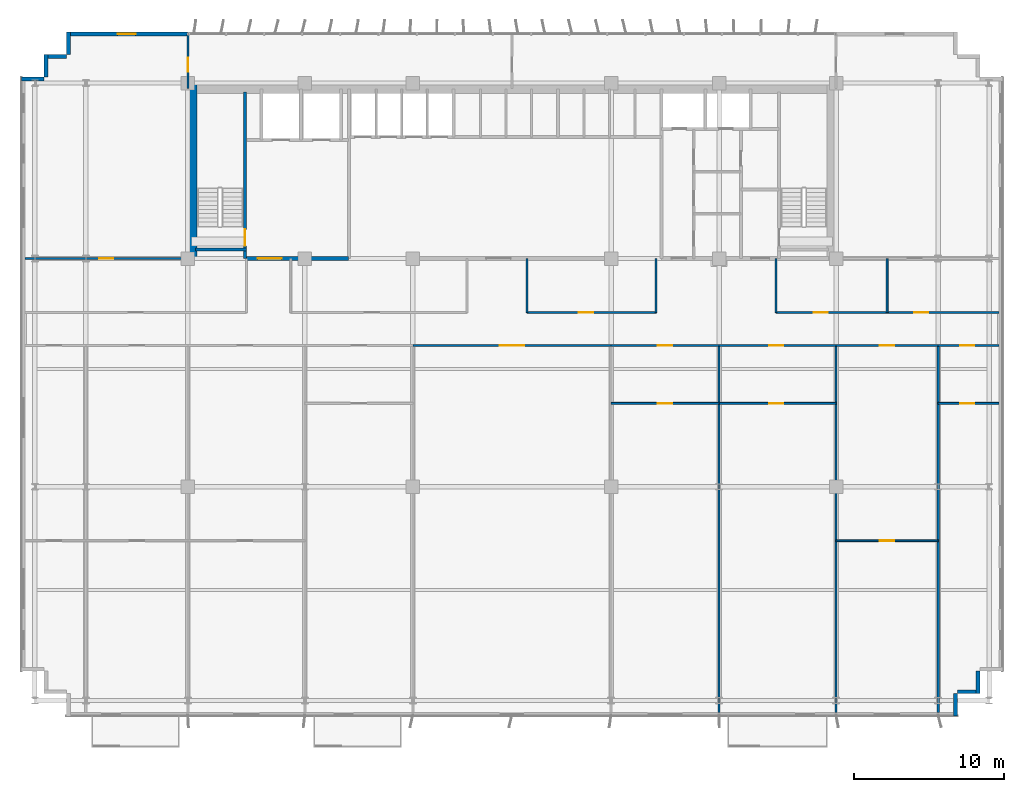
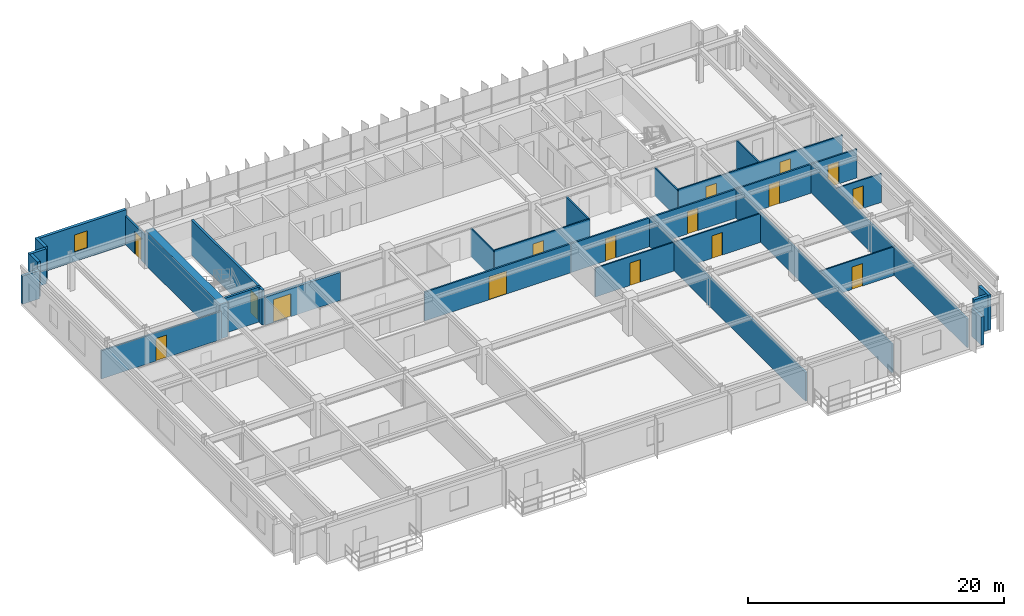
# One storey, part 16 of 21: 32 walls, 16 doors, 1 window, 17 openings.
"""IFC4 building model written with IfcOpenShell, lengths in metres."""

from ifc_helpers import new_model, si_unit, direction, frame, frame_2d, origin, place, context, subcontext, project, spatial, rectangle, extrude, source, transform, mapped, material, layer, layer_set, type_object, element, fill, save


model = new_model("IFC4")

# Units and contexts
model_context = context("Model", 3, precision=1e-05, world=origin(), true_north=direction((0.0, 1.0)))
body_context = subcontext(model_context, "Body", "Model", "MODEL_VIEW")
ifc_project = project(units=[si_unit("LENGTHUNIT", "METRE"), si_unit("AREAUNIT", "SQUARE_METRE"), si_unit("VOLUMEUNIT", "CUBIC_METRE"), si_unit("PLANEANGLEUNIT", "RADIAN"), si_unit("MASSUNIT", "GRAM", prefix="KILO")], contexts=[model_context])

# Site, building, storey
site_placement = place(None, origin())
site = spatial("IfcSite", under=ifc_project, at=site_placement, CompositionType="ELEMENT")
building_placement = place(site_placement, origin())
building = spatial("IfcBuilding", under=site, at=building_placement, Name="Trelvane Seafront Commons", CompositionType="ELEMENT")
storey_placement = place(building_placement, frame((0.0, 0.0, 34.300048828125)))
storey = spatial("IfcBuildingStorey", under=building, at=storey_placement, Name="L08", CompositionType="ELEMENT", Elevation=34.300048828125)

# Wall, opening, window
ifc_material_1 = material(Name="Precast concrete C40/50", Category="concrete")
ifc_layer_1 = layer(ifc_material_1, 0.260009765625, Name="ARCH-WALL-EXT260")
ifc_layer_set_1 = layer_set([ifc_layer_1], Name="Precast concrete C40/50")
wall_type_1 = type_object("IfcWallType", Name="ARCH-WALL-EXT260", PredefinedType="SOLIDWALL", material=ifc_layer_set_1)
wall_1_placement = place(storey_placement, frame((7.60009765625, 48.3701171875, 0.0), z_axis=(0.0, 0.0, 1.0), x_axis=(1.0, 0.0, 0.0)))
wall_1 = element("IfcWall", 1, at=wall_1_placement, inside=storey, type_object=wall_type_1, Name="EW-L08-NW-0108", PredefinedType="SOLIDWALL", context=body_context, shape_type="SweptSolid", body=[
    extrude(rectangle(XDim=8.0, YDim=0.260009765625, at=frame_2d((4.0, 0.0))), origin(), (0.0, 0.0, 1.0), 3.33984375),
])
opening_1_placement = place(wall_1_placement, frame((3.30810546875, 0.0, 0.89990234375)))
opening_1 = element("IfcOpeningElement", 2, at=opening_1_placement, cuts=wall_1, Name="Opening W05", PredefinedType="OPENING", context=body_context, shape_type="SweptSolid", body=[
    extrude(rectangle(XDim=1.199951171875, YDim=1.64990234375, at=frame_2d((0.60009765625, 0.824951171875))), frame((0.0, 0.139892578125, 0.0), z_axis=(0.0, -1.0, 0.0), x_axis=(1.0, 0.0, 0.0)), (0.0, 0.0, 1.0), 0.280029296875),
])
ifc_material_2 = material(Name="Low-E coastal double glazing", Category="glass")
window_type = type_object("IfcWindowType", Name="ARCH-WIN-W05", PartitioningType="SINGLE_PANEL", PredefinedType="WINDOW", material=ifc_material_2)
shared_shape_1 = source(origin(), body_context, "Body", "SweptSolid", [
    extrude(rectangle(XDim=1.199951171875, YDim=1.64990234375, at=frame_2d((0.60009765625, 0.824951171875))), frame((0.0, 0.030029296875, 0.0), z_axis=(0.0, -1.0, 0.0), x_axis=(1.0, 0.0, 0.0)), (0.0, 0.0, 1.0), 0.06005859375),
])
window_placement = place(opening_1_placement, origin())
window = element("IfcWindow", 3, at=window_placement, inside=storey, type_object=window_type, Name="WIN-L08-00156", OverallHeight=1.64990234375, OverallWidth=1.199951171875, PartitioningType="SINGLE_PANEL", PredefinedType="WINDOW", context=body_context, shape_type="MappedRepresentation", body=[
    mapped(shared_shape_1, transform((0.0, 0.0, 0.0), x_axis=(1.0, 0.0, 0.0), y_axis=(0.0, 1.0, 0.0), z_axis=(0.0, 0.0, 1.0), scale=1.0)),
])
fill(opening_1, window)

# Walls
wall_2_placement = place(storey_placement, frame((4.5, 45.3701171875, 0.0), z_axis=(0.0, 0.0, 1.0), x_axis=(1.0, 0.0, 0.0)))
element("IfcWall", 4, at=wall_2_placement, inside=storey, type_object=wall_type_1, Name="EW-L08-00114", PredefinedType="SOLIDWALL", context=body_context, shape_type="SweptSolid", body=[
    extrude(rectangle(XDim=1.5, YDim=0.260009765625, at=frame_2d((0.75, 0.0))), origin(), (0.0, 0.0, 1.0), 2.68994140625),
])
for number, where, z_axis, x_axis, name in (
    (5, (6.1298828125, 45.5, 0.0), (0.0, 0.0, 1.0), (0.0, 1.0, 0.0), "EW-L08-00115"),
    (6, (6.0, 46.8701171875, 0.0), (0.0, 0.0, 1.0), (1.0, 0.0, 0.0), "EW-L08-00116"),
    (7, (7.6298828125, 47.0, 0.0), (0.0, 0.0, 1.0), (0.0, 1.0, 0.0), "EW-L08-00117"),
    (8, (68.27001953125, 5.89990234375, 0.0), (0.0, 0.0, 1.0), (0.0, -1.0, 0.0), "EW-L08-00124"),
    (9, (68.39990234375, 4.530029296875, 0.0), (0.0, 0.0, 1.0), (-1.0, 0.0, 0.0), "EW-L08-00125"),
):
    element("IfcWall", number, at=place(storey_placement, frame(where, z_axis=z_axis, x_axis=x_axis)), inside=storey, type_object=wall_type_1, Name=name, PredefinedType="SOLIDWALL", context=body_context, shape_type="SweptSolid", body=[
        extrude(rectangle(XDim=1.5, YDim=0.260009765625, at=frame_2d((0.75, 0.0))), origin(), (0.0, 0.0, 1.0), 3.33984375),
    ])
wall_3_placement = place(storey_placement, frame((66.77001953125, 4.39990234375, 0.0), z_axis=(0.0, 0.0, 1.0), x_axis=(0.0, -1.0, 0.0)))
element("IfcWall", 10, at=wall_3_placement, inside=storey, type_object=wall_type_1, Name="EW-L08-00126", PredefinedType="SOLIDWALL", context=body_context, shape_type="SweptSolid", body=[
    extrude(rectangle(XDim=1.5, YDim=0.260009765625, at=frame_2d((0.75, 0.0))), origin(), (0.0, 0.0, 1.0), 2.68994140625),
])

# Wall, opening, door
ifc_material_3 = material(Name="Concrete C40/50", Category="concrete")
ifc_layer_2 = layer(ifc_material_3, 0.25, Name="ARCH-WALL-FIRE250")
ifc_layer_set_2 = layer_set([ifc_layer_2], Name="Concrete C40/50")
wall_type_2 = type_object("IfcWallType", Name="ARCH-WALL-FIRE250", PredefinedType="PARTITIONING", material=ifc_layer_set_2)
wall_4_placement = place(storey_placement, frame((19.5, 33.39990234375, 0.0), z_axis=(0.0, 0.0, 1.0), x_axis=(1.0, 0.0, 0.0)))
wall_4 = element("IfcWall", 11, at=wall_4_placement, inside=storey, type_object=wall_type_2, Name="W-L08-CS-FFL-013", PredefinedType="PARTITIONING", context=body_context, shape_type="SweptSolid", body=[
    extrude(rectangle(XDim=6.800048828125, YDim=0.25, at=frame_2d((3.39990234375, 0.0))), origin(), (0.0, 0.0, 1.0), 2.68994140625),
])
opening_2_placement = place(wall_4_placement, frame((0.75, 0.0, 0.0)))
opening_2 = element("IfcOpeningElement", 12, at=opening_2_placement, cuts=wall_4, Name="Opening FD-L08-05", PredefinedType="OPENING", context=body_context, shape_type="SweptSolid", body=[
    extrude(rectangle(XDim=1.60009765625, YDim=2.199951171875, at=frame_2d((0.800048828125, 1.10009765625))), frame((0.0, 0.135009765625, 0.0), z_axis=(0.0, -1.0, 0.0), x_axis=(1.0, 0.0, 0.0)), (0.0, 0.0, 1.0), 0.27001953125),
])
ifc_material_4 = material(Name="Powder-coated aluminium frame", Category="aluminium")
door_type_1 = type_object("IfcDoorType", Name="ARCH-DR-FD60-1600", OperationType="DOUBLE_DOOR_SINGLE_SWING", PredefinedType="DOOR", material=ifc_material_4)
shared_shape_2 = source(origin(), body_context, "Body", "SweptSolid", [
    extrude(rectangle(XDim=1.60009765625, YDim=2.199951171875, at=frame_2d((0.800048828125, 1.10009765625))), frame((0.0, 0.02490234375, 0.0), z_axis=(0.0, -1.0, 0.0), x_axis=(1.0, 0.0, 0.0)), (0.0, 0.0, 1.0), 0.050048828125),
])
door_1_placement = place(opening_2_placement, origin())
door_1 = element("IfcDoor", 13, at=door_1_placement, inside=storey, type_object=door_type_1, Name="L08 Firefighting Lift Lobby Double Fire Door", OperationType="DOUBLE_DOOR_SINGLE_SWING", OverallHeight=2.199951171875, OverallWidth=1.60009765625, PredefinedType="DOOR", context=body_context, shape_type="MappedRepresentation", body=[
    mapped(shared_shape_2, transform((0.0, 0.0, 0.0), x_axis=(1.0, 0.0, 0.0), y_axis=(0.0, 1.0, 0.0), z_axis=(0.0, 0.0, 1.0), scale=1.0)),
])
fill(opening_2, door_1)

ifc_material_5 = material(Name="Gypsum Drywall Acoustic Partition")
ifc_layer_3 = layer(ifc_material_5, 0.1201171875, Name="ARCH-WALL-PART120")
ifc_layer_set_3 = layer_set([ifc_layer_3], Name="Gypsum Drywall Acoustic Partition")
wall_type_3 = type_object("IfcWallType", Name="ARCH-WALL-PART120", PredefinedType="PARTITIONING", material=ifc_layer_set_3)
wall_5_placement = place(storey_placement, frame((38.199951171875, 29.800048828125, 0.0), z_axis=(0.0, 0.0, 1.0), x_axis=(1.0, 0.0, 0.0)))
wall_5 = element("IfcWall", 14, at=wall_5_placement, inside=storey, type_object=wall_type_3, Name="W-L08-CORR-N-M2-041", PredefinedType="PARTITIONING", context=body_context, shape_type="SweptSolid", body=[
    extrude(rectangle(XDim=8.60009765625, YDim=0.1201171875, at=frame_2d((4.300048828125, 0.0))), origin(), (0.0, 0.0, 1.0), 2.751953125),
])
opening_3_placement = place(wall_5_placement, frame((3.4619140625, 0.0, 0.0)))
opening_3 = element("IfcOpeningElement", 15, at=opening_3_placement, cuts=wall_5, Name="Opening D-L08-21", PredefinedType="OPENING", context=body_context, shape_type="SweptSolid", body=[
    extrude(rectangle(XDim=0.949951171875, YDim=2.14990234375, at=frame_2d((0.47509765625, 1.074951171875))), frame((0.0, 0.070068359375, 0.0), z_axis=(0.0, -1.0, 0.0), x_axis=(1.0, 0.0, 0.0)), (0.0, 0.0, 1.0), 0.14013671875),
])
ifc_material_6 = material(Name="Acoustic timber door leaf", Category="wood")
door_type_2 = type_object("IfcDoorType", Name="ARCH-DR-INT950", OperationType="NOTDEFINED", PredefinedType="DOOR", material=ifc_material_6)
shared_shape_3 = source(origin(), body_context, "Body", "SweptSolid", [
    extrude(rectangle(XDim=0.949951171875, YDim=2.14990234375, at=frame_2d((0.47509765625, 1.074951171875))), frame((0.0, 0.02490234375, 0.0), z_axis=(0.0, -1.0, 0.0), x_axis=(1.0, 0.0, 0.0)), (0.0, 0.0, 1.0), 0.050048828125),
])
door_2_placement = place(opening_3_placement, origin())
door_2 = element("IfcDoor", 16, at=door_2_placement, inside=storey, type_object=door_type_2, Name="L08 Door 21", OperationType="SINGLE_SWING_LEFT", OverallHeight=2.14990234375, OverallWidth=0.949951171875, PredefinedType="DOOR", context=body_context, shape_type="MappedRepresentation", body=[
    mapped(shared_shape_3, transform((0.0, 0.0, 0.0), x_axis=(1.0, 0.0, 0.0), y_axis=(0.0, 1.0, 0.0), z_axis=(0.0, 0.0, 1.0), scale=1.0)),
])
fill(opening_3, door_2)

# Wall, openings, doors
wall_6_placement = place(storey_placement, frame((54.800048828125, 29.800048828125, 0.0), z_axis=(0.0, 0.0, 1.0), x_axis=(1.0, 0.0, 0.0)))
wall_6 = element("IfcWall", 17, at=wall_6_placement, inside=storey, type_object=wall_type_3, Name="W-L08-CORR-N-E-042", PredefinedType="PARTITIONING", context=body_context, shape_type="SweptSolid", body=[
    extrude(rectangle(XDim=14.849853515625, YDim=0.1201171875, at=frame_2d((7.4248046875, 0.0))), origin(), (0.0, 0.0, 1.0), 2.751953125),
])
opening_4_placement = place(wall_6_placement, frame((2.5, 0.0, 0.0)))
opening_4 = element("IfcOpeningElement", 18, at=opening_4_placement, cuts=wall_6, Name="Opening D-L08-22", PredefinedType="OPENING", context=body_context, shape_type="SweptSolid", body=[
    extrude(rectangle(XDim=0.949951171875, YDim=2.14990234375, at=frame_2d((0.47509765625, 1.074951171875))), frame((0.0, 0.070068359375, 0.0), z_axis=(0.0, -1.0, 0.0), x_axis=(1.0, 0.0, 0.0)), (0.0, 0.0, 1.0), 0.14013671875),
])
opening_5_placement = place(wall_6_placement, frame((9.199951171875, 0.0, 0.0)))
opening_5 = element("IfcOpeningElement", 19, at=opening_5_placement, cuts=wall_6, Name="Opening D-L08-23", PredefinedType="OPENING", context=body_context, shape_type="SweptSolid", body=[
    extrude(rectangle(XDim=0.949951171875, YDim=2.14990234375, at=frame_2d((0.47509765625, 1.074951171875))), frame((0.0, 0.070068359375, 0.0), z_axis=(0.0, -1.0, 0.0), x_axis=(1.0, 0.0, 0.0)), (0.0, 0.0, 1.0), 0.14013671875),
])
door_3_placement = place(opening_4_placement, origin())
door_3 = element("IfcDoor", 20, at=door_3_placement, inside=storey, type_object=door_type_2, Name="L08 Door 22", OperationType="SINGLE_SWING_RIGHT", OverallHeight=2.14990234375, OverallWidth=0.949951171875, PredefinedType="DOOR", context=body_context, shape_type="MappedRepresentation", body=[
    mapped(shared_shape_3, transform((0.0, 0.0, 0.0), x_axis=(1.0, 0.0, 0.0), y_axis=(0.0, 1.0, 0.0), z_axis=(0.0, 0.0, 1.0), scale=1.0)),
])
fill(opening_4, door_3)
door_4_placement = place(opening_5_placement, origin())
door_4 = element("IfcDoor", 21, at=door_4_placement, inside=storey, type_object=door_type_2, Name="L08 Door 23", OperationType="SINGLE_SWING_LEFT", OverallHeight=2.14990234375, OverallWidth=0.949951171875, PredefinedType="DOOR", context=body_context, shape_type="MappedRepresentation", body=[
    mapped(shared_shape_3, transform((0.0, 0.0, 0.0), x_axis=(1.0, 0.0, 0.0), y_axis=(0.0, 1.0, 0.0), z_axis=(0.0, 0.0, 1.0), scale=1.0)),
])
fill(opening_5, door_4)

# Walls
for number, where, z_axis, x_axis, name in (
    (22, (62.199951171875, 29.800048828125, 0.0), (0.0, 0.0, 1.0), (0.0, 1.0, 0.0), "W-L08-N-LAUN-DV-043"),
    (23, (38.199951171875, 29.800048828125, 0.0), (0.0, 0.0, 1.0), (0.0, 1.0, 0.0), "W-L08-N-SPUR-M2-047"),
    (24, (46.800048828125, 29.800048828125, 0.0), (0.0, 0.0, 1.0), (0.0, 1.0, 0.0), "W-L08-N-SPUR-E1-048"),
    (25, (54.800048828125, 29.800048828125, 0.0), (0.0, 0.0, 1.0), (0.0, 1.0, 0.0), "W-L08-N-SPUR-E2-049"),
):
    element("IfcWall", number, at=place(storey_placement, frame(where, z_axis=z_axis, x_axis=x_axis)), inside=storey, type_object=wall_type_3, Name=name, PredefinedType="PARTITIONING", context=body_context, shape_type="SweptSolid", body=[
        extrude(rectangle(XDim=3.599853515625, YDim=0.1201171875, at=frame_2d((1.7998046875, 0.0))), origin(), (0.0, 0.0, 1.0), 2.68994140625),
    ])

# Wall, opening, door
wall_7_placement = place(storey_placement, frame((43.800048828125, 23.75, 0.0), z_axis=(0.0, 0.0, 1.0), x_axis=(1.0, 0.0, 0.0)))
wall_7 = element("IfcWall", 26, at=wall_7_placement, inside=storey, type_object=wall_type_3, Name="W-L08-U6-DIV-073", PredefinedType="PARTITIONING", context=body_context, shape_type="SweptSolid", body=[
    extrude(rectangle(XDim=7.199951171875, YDim=0.1201171875, at=frame_2d((3.60009765625, 0.0))), origin(), (0.0, 0.0, 1.0), 2.751953125),
])
opening_6_placement = place(wall_7_placement, frame((3.125, 0.0, 0.0)))
opening_6 = element("IfcOpeningElement", 27, at=opening_6_placement, cuts=wall_7, Name="Opening D-L08-39", PredefinedType="OPENING", context=body_context, shape_type="SweptSolid", body=[
    extrude(rectangle(XDim=0.949951171875, YDim=2.14990234375, at=frame_2d((0.47509765625, 1.074951171875))), frame((0.0, 0.070068359375, 0.0), z_axis=(0.0, -1.0, 0.0), x_axis=(1.0, 0.0, 0.0)), (0.0, 0.0, 1.0), 0.14013671875),
])
door_5_placement = place(opening_6_placement, origin())
door_5 = element("IfcDoor", 28, at=door_5_placement, inside=storey, type_object=door_type_2, Name="L08 Door 39", OperationType="SINGLE_SWING_LEFT", OverallHeight=2.14990234375, OverallWidth=0.949951171875, PredefinedType="DOOR", context=body_context, shape_type="MappedRepresentation", body=[
    mapped(shared_shape_3, transform((0.0, 0.0, 0.0), x_axis=(1.0, 0.0, 0.0), y_axis=(0.0, 1.0, 0.0), z_axis=(0.0, 0.0, 1.0), scale=1.0)),
])
fill(opening_6, door_5)

wall_8_placement = place(storey_placement, frame((51.0, 23.75, 0.0), z_axis=(0.0, 0.0, 1.0), x_axis=(1.0, 0.0, 0.0)))
wall_8 = element("IfcWall", 29, at=wall_8_placement, inside=storey, type_object=wall_type_3, Name="W-L08-U7-DIV-075", PredefinedType="PARTITIONING", context=body_context, shape_type="SweptSolid", body=[
    extrude(rectangle(XDim=7.800048828125, YDim=0.1201171875, at=frame_2d((3.89990234375, 0.0))), origin(), (0.0, 0.0, 1.0), 2.751953125),
])
opening_7_placement = place(wall_8_placement, frame((3.3330078125, 0.0, 0.0)))
opening_7 = element("IfcOpeningElement", 30, at=opening_7_placement, cuts=wall_8, Name="Opening D-L08-41", PredefinedType="OPENING", context=body_context, shape_type="SweptSolid", body=[
    extrude(rectangle(XDim=0.949951171875, YDim=2.14990234375, at=frame_2d((0.47509765625, 1.074951171875))), frame((0.0, 0.070068359375, 0.0), z_axis=(0.0, -1.0, 0.0), x_axis=(1.0, 0.0, 0.0)), (0.0, 0.0, 1.0), 0.14013671875),
])
door_6_placement = place(opening_7_placement, origin())
door_6 = element("IfcDoor", 31, at=door_6_placement, inside=storey, type_object=door_type_2, Name="L08 Door 41", OperationType="SINGLE_SWING_LEFT", OverallHeight=2.14990234375, OverallWidth=0.949951171875, PredefinedType="DOOR", context=body_context, shape_type="MappedRepresentation", body=[
    mapped(shared_shape_3, transform((0.0, 0.0, 0.0), x_axis=(1.0, 0.0, 0.0), y_axis=(0.0, 1.0, 0.0), z_axis=(0.0, 0.0, 1.0), scale=1.0)),
])
fill(opening_7, door_6)

wall_9_placement = place(storey_placement, frame((58.800048828125, 14.60009765625, 0.0), z_axis=(0.0, 0.0, 1.0), x_axis=(1.0, 0.0, 0.0)))
wall_9 = element("IfcWall", 32, at=wall_9_placement, inside=storey, type_object=wall_type_3, Name="W-L08-U8-DIV-077", PredefinedType="PARTITIONING", context=body_context, shape_type="SweptSolid", body=[
    extrude(rectangle(XDim=6.800048828125, YDim=0.1201171875, at=frame_2d((3.39990234375, 0.0))), origin(), (0.0, 0.0, 1.0), 2.751953125),
])
opening_8_placement = place(wall_9_placement, frame((2.925048828125, 0.0, 0.0)))
opening_8 = element("IfcOpeningElement", 33, at=opening_8_placement, cuts=wall_9, Name="Opening D-L08-43", PredefinedType="OPENING", context=body_context, shape_type="SweptSolid", body=[
    extrude(rectangle(XDim=0.949951171875, YDim=2.14990234375, at=frame_2d((0.47509765625, 1.074951171875))), frame((0.0, 0.070068359375, 0.0), z_axis=(0.0, -1.0, 0.0), x_axis=(1.0, 0.0, 0.0)), (0.0, 0.0, 1.0), 0.14013671875),
])
door_7_placement = place(opening_8_placement, origin())
door_7 = element("IfcDoor", 34, at=door_7_placement, inside=storey, type_object=door_type_2, Name="L08 Door 43", OperationType="SINGLE_SWING_LEFT", OverallHeight=2.14990234375, OverallWidth=0.949951171875, PredefinedType="DOOR", context=body_context, shape_type="MappedRepresentation", body=[
    mapped(shared_shape_3, transform((0.0, 0.0, 0.0), x_axis=(1.0, 0.0, 0.0), y_axis=(0.0, 1.0, 0.0), z_axis=(0.0, 0.0, 1.0), scale=1.0)),
])
fill(opening_8, door_7)

wall_10_placement = place(storey_placement, frame((65.60009765625, 23.75, 0.0), z_axis=(0.0, 0.0, 1.0), x_axis=(1.0, 0.0, 0.0)))
wall_10 = element("IfcWall", 35, at=wall_10_placement, inside=storey, type_object=wall_type_3, Name="W-L08-U9-DIV-079", PredefinedType="PARTITIONING", context=body_context, shape_type="SweptSolid", body=[
    extrude(rectangle(XDim=4.054931640625, YDim=0.1201171875, at=frame_2d((2.02734375, 0.0))), origin(), (0.0, 0.0, 1.0), 2.751953125),
])
opening_9_placement = place(wall_10_placement, frame((1.4619140625, 0.0, 0.0)))
opening_9 = element("IfcOpeningElement", 36, at=opening_9_placement, cuts=wall_10, Name="Opening D-L08-45", PredefinedType="OPENING", context=body_context, shape_type="SweptSolid", body=[
    extrude(rectangle(XDim=0.949951171875, YDim=2.14990234375, at=frame_2d((0.47509765625, 1.074951171875))), frame((0.0, 0.070068359375, 0.0), z_axis=(0.0, -1.0, 0.0), x_axis=(1.0, 0.0, 0.0)), (0.0, 0.0, 1.0), 0.14013671875),
])
door_8_placement = place(opening_9_placement, origin())
door_8 = element("IfcDoor", 37, at=door_8_placement, inside=storey, type_object=door_type_2, Name="L08 Door 45", OperationType="SINGLE_SWING_LEFT", OverallHeight=2.14990234375, OverallWidth=0.949951171875, PredefinedType="DOOR", context=body_context, shape_type="MappedRepresentation", body=[
    mapped(shared_shape_3, transform((0.0, 0.0, 0.0), x_axis=(1.0, 0.0, 0.0), y_axis=(0.0, 1.0, 0.0), z_axis=(0.0, 0.0, 1.0), scale=1.0)),
])
fill(opening_9, door_8)

ifc_layer_4 = layer(ifc_material_5, 0.14990234375, Name="ARCH-WALL-PART150")
ifc_layer_set_4 = layer_set([ifc_layer_4], Name="Gypsum Drywall Acoustic Partition")
wall_type_4 = type_object("IfcWallType", Name="ARCH-WALL-PART150", PredefinedType="PARTITIONING", material=ifc_layer_set_4)
wall_11_placement = place(storey_placement, frame((4.75, 33.39990234375, 0.0), z_axis=(0.0, 0.0, 1.0), x_axis=(1.0, 0.0, 0.0)))
wall_11 = element("IfcWall", 38, at=wall_11_placement, inside=storey, type_object=wall_type_4, Name="W-L08-NW-ENT-050", PredefinedType="PARTITIONING", context=body_context, shape_type="SweptSolid", body=[
    extrude(rectangle(XDim=10.85009765625, YDim=0.14990234375, at=frame_2d((5.425048828125, 0.0))), origin(), (0.0, 0.0, 1.0), 2.68994140625),
])
opening_10_placement = place(wall_11_placement, frame((4.93994140625, 0.0, 0.0)))
opening_10 = element("IfcOpeningElement", 39, at=opening_10_placement, cuts=wall_11, Name="Opening FD-L08-24", PredefinedType="OPENING", context=body_context, shape_type="SweptSolid", body=[
    extrude(rectangle(XDim=0.949951171875, YDim=2.14990234375, at=frame_2d((0.47509765625, 1.074951171875))), frame((0.0, 0.0849609375, 0.0), z_axis=(0.0, -1.0, 0.0), x_axis=(1.0, 0.0, 0.0)), (0.0, 0.0, 1.0), 0.169921875),
])
door_type_3 = type_object("IfcDoorType", Name="ARCH-DR-FD60-950", OperationType="NOTDEFINED", PredefinedType="DOOR", material=ifc_material_4)
door_9_placement = place(opening_10_placement, origin())
door_9 = element("IfcDoor", 40, at=door_9_placement, inside=storey, type_object=door_type_3, Name="L08 NW Suite Entrance Door", OperationType="SINGLE_SWING_RIGHT", OverallHeight=2.14990234375, OverallWidth=0.949951171875, PredefinedType="DOOR", context=body_context, shape_type="MappedRepresentation", body=[
    mapped(shared_shape_3, transform((0.0, 0.0, 0.0), x_axis=(1.0, 0.0, 0.0), y_axis=(0.0, 1.0, 0.0), z_axis=(0.0, 0.0, 1.0), scale=1.0)),
])
fill(opening_10, door_9)

wall_12_placement = place(storey_placement, frame((15.60009765625, 44.75, 0.0), z_axis=(0.0, 0.0, 1.0), x_axis=(0.0, 1.0, 0.0)))
wall_12 = element("IfcWall", 41, at=wall_12_placement, inside=storey, type_object=wall_type_4, Name="W-L08-N-LINK-W-053", PredefinedType="PARTITIONING", context=body_context, shape_type="SweptSolid", body=[
    extrude(rectangle(XDim=3.610107421875, YDim=0.14990234375, at=frame_2d((1.80517578125, 0.0))), origin(), (0.0, 0.0, 1.0), 2.751953125),
])
opening_11_placement = place(wall_12_placement, frame((1.10009765625, 0.0, 0.0)))
opening_11 = element("IfcOpeningElement", 42, at=opening_11_placement, cuts=wall_12, Name="Opening FD-L08-27", PredefinedType="OPENING", context=body_context, shape_type="SweptSolid", body=[
    extrude(rectangle(XDim=0.949951171875, YDim=2.14990234375, at=frame_2d((0.47509765625, 1.074951171875))), frame((0.0, 0.0849609375, 0.0), z_axis=(0.0, -1.0, 0.0), x_axis=(1.0, 0.0, 0.0)), (0.0, 0.0, 1.0), 0.169921875),
])
door_10_placement = place(opening_11_placement, origin())
door_10 = element("IfcDoor", 43, at=door_10_placement, inside=storey, type_object=door_type_3, Name="L08 Door 27", OperationType="SINGLE_SWING_LEFT", OverallHeight=2.14990234375, OverallWidth=0.949951171875, PredefinedType="DOOR", context=body_context, shape_type="MappedRepresentation", body=[
    mapped(shared_shape_3, transform((0.0, 0.0, 0.0), x_axis=(1.0, 0.0, 0.0), y_axis=(0.0, 1.0, 0.0), z_axis=(0.0, 0.0, 1.0), scale=1.0)),
])
fill(opening_11, door_10)

# Walls
for number, where, z_axis, x_axis, name in (
    (44, (51.0, 3.14501953125, 0.0), (0.0, 0.0, 1.0), (0.0, 1.0, 0.0), "W-L08-PW-6-060"),
    (45, (58.800048828125, 3.14501953125, 0.0), (0.0, 0.0, 1.0), (0.0, 1.0, 0.0), "W-L08-PW-7-061"),
    (46, (65.60009765625, 3.14501953125, 0.0), (0.0, 0.0, 1.0), (0.0, 1.0, 0.0), "W-L08-PW-8-062"),
):
    element("IfcWall", number, at=place(storey_placement, frame(where, z_axis=z_axis, x_axis=x_axis)), inside=storey, type_object=wall_type_4, Name=name, PredefinedType="PARTITIONING", context=body_context, shape_type="SweptSolid", body=[
        extrude(rectangle(XDim=24.455078125, YDim=0.14990234375, at=frame_2d((12.2275390625, 0.0))), origin(), (0.0, 0.0, 1.0), 2.751953125),
    ])

# Wall, opening, door
wall_13_placement = place(storey_placement, frame((30.60009765625, 27.60009765625, 0.0), z_axis=(0.0, 0.0, 1.0), x_axis=(1.0, 0.0, 0.0)))
wall_13 = element("IfcWall", 47, at=wall_13_placement, inside=storey, type_object=wall_type_4, Name="W-L08-CS-BAY-5-071", PredefinedType="PARTITIONING", context=body_context, shape_type="SweptSolid", body=[
    extrude(rectangle(XDim=13.199951171875, YDim=0.14990234375, at=frame_2d((6.60009765625, 0.0))), origin(), (0.0, 0.0, 1.0), 2.751953125),
])
opening_12_placement = place(wall_13_placement, frame((5.800048828125, 0.0, 0.0)))
opening_12 = element("IfcOpeningElement", 48, at=opening_12_placement, cuts=wall_13, Name="Opening D-L08-37", PredefinedType="OPENING", context=body_context, shape_type="SweptSolid", body=[
    extrude(rectangle(XDim=1.60009765625, YDim=2.199951171875, at=frame_2d((0.800048828125, 1.10009765625))), frame((0.0, 0.0849609375, 0.0), z_axis=(0.0, -1.0, 0.0), x_axis=(1.0, 0.0, 0.0)), (0.0, 0.0, 1.0), 0.169921875),
])
door_type_4 = type_object("IfcDoorType", Name="ARCH-DR-GLZ1600", OperationType="DOUBLE_DOOR_SINGLE_SWING", PredefinedType="DOOR", material=ifc_material_6)
door_11_placement = place(opening_12_placement, origin())
door_11 = element("IfcDoor", 49, at=door_11_placement, inside=storey, type_object=door_type_4, Name="L08 Commons Lounge 05 Door", OperationType="DOUBLE_DOOR_SINGLE_SWING", OverallHeight=2.199951171875, OverallWidth=1.60009765625, PredefinedType="DOOR", context=body_context, shape_type="MappedRepresentation", body=[
    mapped(shared_shape_2, transform((0.0, 0.0, 0.0), x_axis=(1.0, 0.0, 0.0), y_axis=(0.0, 1.0, 0.0), z_axis=(0.0, 0.0, 1.0), scale=1.0)),
])
fill(opening_12, door_11)

wall_14_placement = place(storey_placement, frame((43.800048828125, 27.60009765625, 0.0), z_axis=(0.0, 0.0, 1.0), x_axis=(1.0, 0.0, 0.0)))
wall_14 = element("IfcWall", 50, at=wall_14_placement, inside=storey, type_object=wall_type_4, Name="W-L08-CS-BAY-6-072", PredefinedType="PARTITIONING", context=body_context, shape_type="SweptSolid", body=[
    extrude(rectangle(XDim=7.199951171875, YDim=0.14990234375, at=frame_2d((3.60009765625, 0.0))), origin(), (0.0, 0.0, 1.0), 2.751953125),
])
opening_13_placement = place(wall_14_placement, frame((3.125, 0.0, 0.0)))
opening_13 = element("IfcOpeningElement", 51, at=opening_13_placement, cuts=wall_14, Name="Opening FD-L08-38", PredefinedType="OPENING", context=body_context, shape_type="SweptSolid", body=[
    extrude(rectangle(XDim=0.949951171875, YDim=2.14990234375, at=frame_2d((0.47509765625, 1.074951171875))), frame((0.0, 0.0849609375, 0.0), z_axis=(0.0, -1.0, 0.0), x_axis=(1.0, 0.0, 0.0)), (0.0, 0.0, 1.0), 0.169921875),
])
door_12_placement = place(opening_13_placement, origin())
door_12 = element("IfcDoor", 52, at=door_12_placement, inside=storey, type_object=door_type_3, Name="L08 Bay 06 Entrance Door", OperationType="SINGLE_SWING_RIGHT", OverallHeight=2.14990234375, OverallWidth=0.949951171875, PredefinedType="DOOR", context=body_context, shape_type="MappedRepresentation", body=[
    mapped(shared_shape_3, transform((0.0, 0.0, 0.0), x_axis=(1.0, 0.0, 0.0), y_axis=(0.0, 1.0, 0.0), z_axis=(0.0, 0.0, 1.0), scale=1.0)),
])
fill(opening_13, door_12)

wall_15_placement = place(storey_placement, frame((51.0, 27.60009765625, 0.0), z_axis=(0.0, 0.0, 1.0), x_axis=(1.0, 0.0, 0.0)))
wall_15 = element("IfcWall", 53, at=wall_15_placement, inside=storey, type_object=wall_type_4, Name="W-L08-CS-BAY-7-074", PredefinedType="PARTITIONING", context=body_context, shape_type="SweptSolid", body=[
    extrude(rectangle(XDim=7.800048828125, YDim=0.14990234375, at=frame_2d((3.89990234375, 0.0))), origin(), (0.0, 0.0, 1.0), 2.751953125),
])
opening_14_placement = place(wall_15_placement, frame((3.3330078125, 0.0, 0.0)))
opening_14 = element("IfcOpeningElement", 54, at=opening_14_placement, cuts=wall_15, Name="Opening FD-L08-40", PredefinedType="OPENING", context=body_context, shape_type="SweptSolid", body=[
    extrude(rectangle(XDim=0.949951171875, YDim=2.14990234375, at=frame_2d((0.47509765625, 1.074951171875))), frame((0.0, 0.0849609375, 0.0), z_axis=(0.0, -1.0, 0.0), x_axis=(1.0, 0.0, 0.0)), (0.0, 0.0, 1.0), 0.169921875),
])
door_13_placement = place(opening_14_placement, origin())
door_13 = element("IfcDoor", 55, at=door_13_placement, inside=storey, type_object=door_type_3, Name="L08 Bay 07 Entrance Door", OperationType="SINGLE_SWING_RIGHT", OverallHeight=2.14990234375, OverallWidth=0.949951171875, PredefinedType="DOOR", context=body_context, shape_type="MappedRepresentation", body=[
    mapped(shared_shape_3, transform((0.0, 0.0, 0.0), x_axis=(1.0, 0.0, 0.0), y_axis=(0.0, 1.0, 0.0), z_axis=(0.0, 0.0, 1.0), scale=1.0)),
])
fill(opening_14, door_13)

wall_16_placement = place(storey_placement, frame((58.800048828125, 27.60009765625, 0.0), z_axis=(0.0, 0.0, 1.0), x_axis=(1.0, 0.0, 0.0)))
wall_16 = element("IfcWall", 56, at=wall_16_placement, inside=storey, type_object=wall_type_4, Name="W-L08-CS-BAY-8-076", PredefinedType="PARTITIONING", context=body_context, shape_type="SweptSolid", body=[
    extrude(rectangle(XDim=6.800048828125, YDim=0.14990234375, at=frame_2d((3.39990234375, 0.0))), origin(), (0.0, 0.0, 1.0), 2.751953125),
])
opening_15_placement = place(wall_16_placement, frame((2.925048828125, 0.0, 0.0)))
opening_15 = element("IfcOpeningElement", 57, at=opening_15_placement, cuts=wall_16, Name="Opening FD-L08-42", PredefinedType="OPENING", context=body_context, shape_type="SweptSolid", body=[
    extrude(rectangle(XDim=0.949951171875, YDim=2.14990234375, at=frame_2d((0.47509765625, 1.074951171875))), frame((0.0, 0.0849609375, 0.0), z_axis=(0.0, -1.0, 0.0), x_axis=(1.0, 0.0, 0.0)), (0.0, 0.0, 1.0), 0.169921875),
])
door_14_placement = place(opening_15_placement, origin())
door_14 = element("IfcDoor", 58, at=door_14_placement, inside=storey, type_object=door_type_3, Name="L08 Bay 08 Entrance Door", OperationType="SINGLE_SWING_RIGHT", OverallHeight=2.14990234375, OverallWidth=0.949951171875, PredefinedType="DOOR", context=body_context, shape_type="MappedRepresentation", body=[
    mapped(shared_shape_3, transform((0.0, 0.0, 0.0), x_axis=(1.0, 0.0, 0.0), y_axis=(0.0, 1.0, 0.0), z_axis=(0.0, 0.0, 1.0), scale=1.0)),
])
fill(opening_15, door_14)

wall_17_placement = place(storey_placement, frame((65.60009765625, 27.60009765625, 0.0), z_axis=(0.0, 0.0, 1.0), x_axis=(1.0, 0.0, 0.0)))
wall_17 = element("IfcWall", 59, at=wall_17_placement, inside=storey, type_object=wall_type_4, Name="W-L08-CS-BAY-9-078", PredefinedType="PARTITIONING", context=body_context, shape_type="SweptSolid", body=[
    extrude(rectangle(XDim=4.054931640625, YDim=0.14990234375, at=frame_2d((2.02734375, 0.0))), origin(), (0.0, 0.0, 1.0), 2.751953125),
])
opening_16_placement = place(wall_17_placement, frame((1.4619140625, 0.0, 0.0)))
opening_16 = element("IfcOpeningElement", 60, at=opening_16_placement, cuts=wall_17, Name="Opening FD-L08-44", PredefinedType="OPENING", context=body_context, shape_type="SweptSolid", body=[
    extrude(rectangle(XDim=0.949951171875, YDim=2.14990234375, at=frame_2d((0.47509765625, 1.074951171875))), frame((0.0, 0.0849609375, 0.0), z_axis=(0.0, -1.0, 0.0), x_axis=(1.0, 0.0, 0.0)), (0.0, 0.0, 1.0), 0.169921875),
])
door_15_placement = place(opening_16_placement, origin())
door_15 = element("IfcDoor", 61, at=door_15_placement, inside=storey, type_object=door_type_3, Name="L08 Bay 09 Entrance Door", OperationType="SINGLE_SWING_RIGHT", OverallHeight=2.14990234375, OverallWidth=0.949951171875, PredefinedType="DOOR", context=body_context, shape_type="MappedRepresentation", body=[
    mapped(shared_shape_3, transform((0.0, 0.0, 0.0), x_axis=(1.0, 0.0, 0.0), y_axis=(0.0, 1.0, 0.0), z_axis=(0.0, 0.0, 1.0), scale=1.0)),
])
fill(opening_16, door_15)

# Walls
ifc_material_7 = material(Name="Concrete C60/75", Category="concrete")
ifc_layer_5 = layer(ifc_material_7, 0.699951171875, Name="STR-WALL-CORE700")
ifc_layer_set_5 = layer_set([ifc_layer_5], Name="Concrete C60/75")
wall_type_5 = type_object("IfcWallType", Name="STR-WALL-CORE700", PredefinedType="SHEAR", material=ifc_layer_set_5)
wall_18_placement = place(storey_placement, frame((15.85009765625, 33.39990234375, 0.0), z_axis=(0.0, 0.0, 1.0), x_axis=(0.0, 1.0, 0.0)))
element("IfcWall", 62, at=wall_18_placement, inside=storey, type_object=wall_type_5, Name="W-L08-CW-END-002", PredefinedType="SHEAR", context=body_context, shape_type="SweptSolid", body=[
    extrude(rectangle(XDim=11.7001953125, YDim=0.699951171875, at=frame_2d((5.85009765625, 0.0))), origin(), (0.0, 0.0, 1.0), 3.33984375),
])
ifc_material_8 = material(Name="Concrete C50/60", Category="concrete")
ifc_layer_6 = layer(ifc_material_8, 0.199951171875, Name="STR-WALL-STAIR200")
ifc_layer_set_6 = layer_set([ifc_layer_6], Name="Concrete C50/60")
wall_type_6 = type_object("IfcWallType", Name="STR-WALL-STAIR200", PredefinedType="SHEAR", material=ifc_layer_set_6)
wall_19_placement = place(storey_placement, frame((16.10009765625, 34.0, 0.0), z_axis=(0.0, 0.0, 1.0), x_axis=(1.0, 0.0, 0.0)))
element("IfcWall", 63, at=wall_19_placement, inside=storey, type_object=wall_type_6, Name="W-L08-ST1-S-004", PredefinedType="SHEAR", context=body_context, shape_type="SweptSolid", body=[
    extrude(rectangle(XDim=3.39990234375, YDim=0.199951171875, at=frame_2d((1.699951171875, 0.0))), origin(), (0.0, 0.0, 1.0), 3.33984375),
])

# Wall, opening, door
wall_20_placement = place(storey_placement, frame((19.39990234375, 33.39990234375, 0.0), z_axis=(0.0, 0.0, 1.0), x_axis=(0.0, 1.0, 0.0)))
wall_20 = element("IfcWall", 64, at=wall_20_placement, inside=storey, type_object=wall_type_6, Name="W-L08-ST1-E-005", PredefinedType="SHEAR", context=body_context, shape_type="SweptSolid", body=[
    extrude(rectangle(XDim=11.10009765625, YDim=0.199951171875, at=frame_2d((5.550048828125, 0.0))), origin(), (0.0, 0.0, 1.0), 3.33984375),
])
opening_17_placement = place(wall_20_placement, frame((0.85009765625, 0.0, 0.0)))
opening_17 = element("IfcOpeningElement", 65, at=opening_17_placement, cuts=wall_20, Name="Opening ST-D1-L08", PredefinedType="OPENING", context=body_context, shape_type="SweptSolid", body=[
    extrude(rectangle(XDim=1.10009765625, YDim=2.14990234375, at=frame_2d((0.550048828125, 1.074951171875))), frame((0.0, 0.10986328125, 0.0), z_axis=(0.0, -1.0, 0.0), x_axis=(1.0, 0.0, 0.0)), (0.0, 0.0, 1.0), 0.219970703125),
])
door_type_5 = type_object("IfcDoorType", Name="ARCH-DR-FD90-1100", OperationType="NOTDEFINED", PredefinedType="DOOR", material=ifc_material_4)
shared_shape_4 = source(origin(), body_context, "Body", "SweptSolid", [
    extrude(rectangle(XDim=1.10009765625, YDim=2.14990234375, at=frame_2d((0.550048828125, 1.074951171875))), frame((0.0, 0.02490234375, 0.0), z_axis=(0.0, -1.0, 0.0), x_axis=(1.0, 0.0, 0.0)), (0.0, 0.0, 1.0), 0.050048828125),
])
door_16_placement = place(opening_17_placement, origin())
door_16 = element("IfcDoor", 66, at=door_16_placement, inside=storey, type_object=door_type_5, Name="L08 Stair ST-1 Lobby Fire Door", OperationType="SINGLE_SWING_LEFT", OverallHeight=2.14990234375, OverallWidth=1.10009765625, PredefinedType="DOOR", context=body_context, shape_type="MappedRepresentation", body=[
    mapped(shared_shape_4, transform((0.0, 0.0, 0.0), x_axis=(1.0, 0.0, 0.0), y_axis=(0.0, 1.0, 0.0), z_axis=(0.0, 0.0, 1.0), scale=1.0)),
])
fill(opening_17, door_16)

save(model, "model.ifc")
